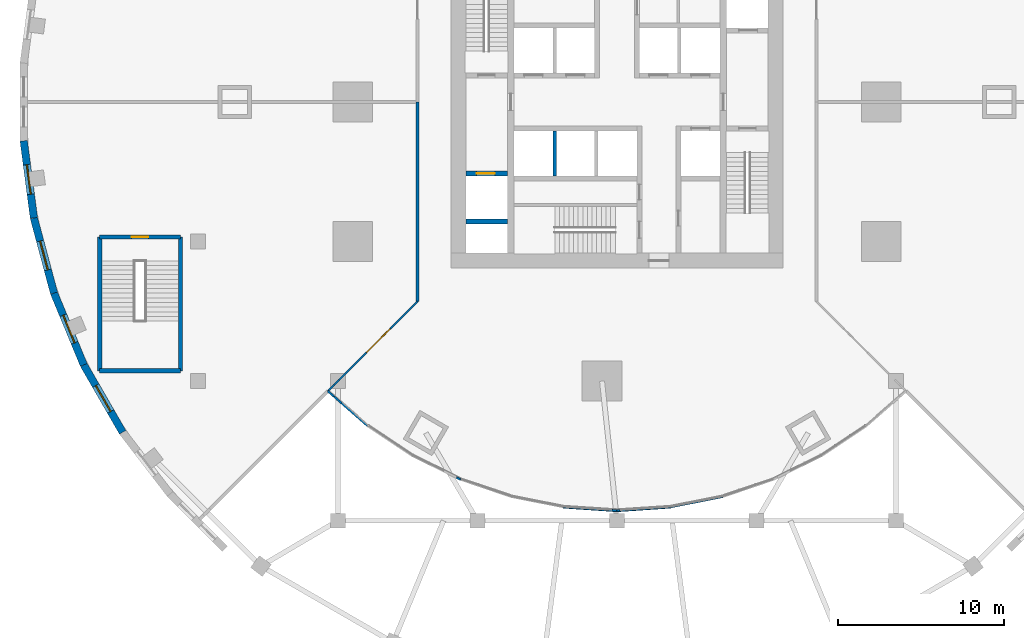
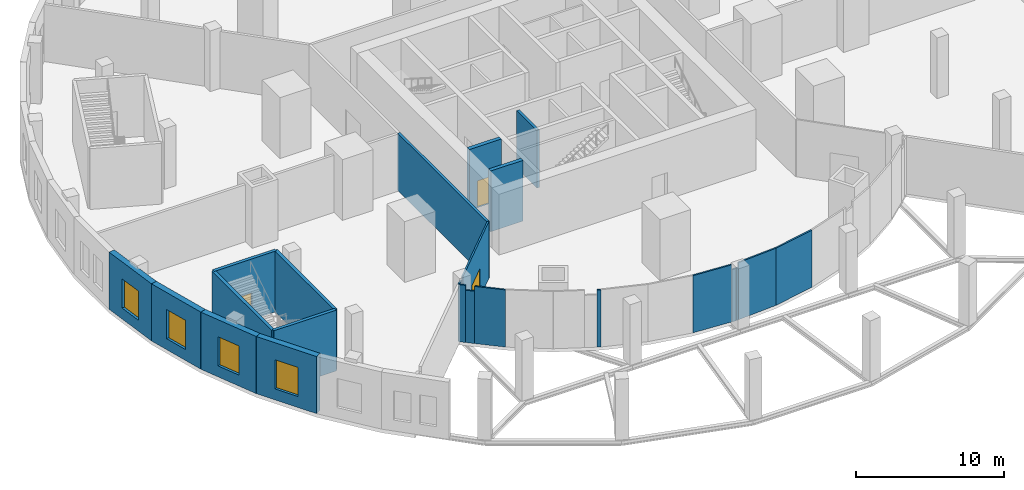
# One storey, part 3 of 11: 24 walls, 4 windows, 3 doors, 7 openings.
"""IFC4 building model written with IfcOpenShell, lengths in metres."""

from ifc_helpers import new_model, si_unit, direction, frame, frame_2d, origin, place, context, subcontext, project, spatial, rectangle, extrude, material, layer, layer_set, type_object, element, fill, save


model = new_model("IFC4")

# Units and contexts
model_context = context("Model", 3, precision=1e-05, world=origin(), true_north=direction((0.0, 1.0)))
body_context = subcontext(model_context, "Body", "Model", "MODEL_VIEW")
ifc_project = project(units=[si_unit("LENGTHUNIT", "METRE"), si_unit("AREAUNIT", "SQUARE_METRE"), si_unit("VOLUMEUNIT", "CUBIC_METRE"), si_unit("PLANEANGLEUNIT", "RADIAN"), si_unit("MASSUNIT", "GRAM", prefix="KILO")], contexts=[model_context])

# Site, building, storey
site_placement = place(None, origin())
site = spatial("IfcSite", under=ifc_project, at=site_placement, CompositionType="ELEMENT")
building_placement = place(site_placement, origin())
building = spatial("IfcBuilding", under=site, at=building_placement, Name="Golbaran Civic Tower", CompositionType="ELEMENT")
storey_placement = place(building_placement, frame((0.0, 0.0, 11.0)))
storey = spatial("IfcBuildingStorey", under=building, at=storey_placement, Name="L02", CompositionType="ELEMENT", Elevation=11.0)

# Walls
ifc_material_1 = material(Name="Glazed screen on steel framing", Category="steel")
ifc_layer_1 = layer(ifc_material_1, 0.1201171875, Name="Glazed screen on steel framing")
ifc_layer_set_1 = layer_set([ifc_layer_1], Name="Glazed screen on steel framing")
wall_type_1 = type_object("IfcWallType", Name="GLAZED SCREEN PARTITION 120", PredefinedType="PARTITIONING", material=ifc_layer_set_1)
wall_1_placement = place(storey_placement, frame((-16.570068359375, -18.127197265625, 0.0), z_axis=(0.0, 0.0, 1.0), x_axis=(0.752226011438, -0.658905173538, 0.0)))
element("IfcWall", 1, at=wall_1_placement, inside=storey, type_object=wall_type_1, Name="Podium partition L02", PredefinedType="PARTITIONING", context=body_context, shape_type="SweptSolid", body=[
    extrude(rectangle(XDim=2.11376953125, YDim=0.1201171875, at=frame_2d((1.056884765625, 0.0))), origin(), (0.0, 0.0, 1.0), 4.699951171875),
])
wall_2_placement = place(storey_placement, frame((-17.030029296875, -17.72412109375, 0.0), z_axis=(0.0, 0.0, 1.0), x_axis=(0.752081905539, -0.65906965289, 0.0)))
element("IfcWall", 2, at=wall_2_placement, inside=storey, type_object=wall_type_1, Name="Podium partition L02 under the beam over", PredefinedType="PARTITIONING", context=body_context, shape_type="SweptSolid", body=[
    extrude(rectangle(XDim=0.611572265625, YDim=0.1201171875, at=frame_2d((0.3056640625, 0.0))), origin(), (0.0, 0.0, 1.0), 4.300048828125),
])
wall_3_placement = place(storey_placement, frame((-17.39990234375, -17.39990234375, 0.0), z_axis=(0.0, 0.0, 1.0), x_axis=(0.751992181934, -0.659172024824, 0.0)))
element("IfcWall", 3, at=wall_3_placement, inside=storey, type_object=wall_type_1, Name="Podium partition L02 under the beam over", PredefinedType="PARTITIONING", context=body_context, shape_type="SweptSolid", body=[
    extrude(rectangle(XDim=0.491943359375, YDim=0.1201171875, at=frame_2d((0.24609375, 0.0))), origin(), (0.0, 0.0, 1.0), 4.699951171875),
])

# Wall, opening, door
wall_4_placement = place(storey_placement, frame((-16.719970703125, -16.719970703125, 0.0), z_axis=(0.0, 0.0, 1.0), x_axis=(0.707106781187, 0.707106781187, 0.0)))
wall_4 = element("IfcWall", 4, at=wall_4_placement, inside=storey, type_object=wall_type_1, Name="Podium partition L02", PredefinedType="PARTITIONING", context=body_context, shape_type="SweptSolid", body=[
    extrude(rectangle(XDim=6.675048828125, YDim=0.1201171875, at=frame_2d((3.33740234375, 0.0))), origin(), (0.0, 0.0, 1.0), 4.699951171875),
])
opening_1_placement = place(wall_4_placement, frame((2.337646484375, 0.0, 0.0)))
opening_1 = element("IfcOpeningElement", 5, at=opening_1_placement, cuts=wall_4, Name="Opening L02.04", PredefinedType="OPENING", context=body_context, shape_type="SweptSolid", body=[
    extrude(rectangle(XDim=2.0, YDim=2.39990234375, at=frame_2d((1.0, 1.199951171875))), frame((0.0, 0.070068359375, 0.0), z_axis=(0.0, -1.0, 0.0), x_axis=(1.0, 0.0, 0.0)), (0.0, 0.0, 1.0), 0.14013671875),
])
ifc_material_2 = material(Name="Timber door set in steel frame", Category="steel")
door_type_1 = type_object("IfcDoorType", Name="PUBLIC DOUBLE DOOR 2000x2400", OperationType="DOUBLE_DOOR_SINGLE_SWING", PredefinedType="DOOR", material=ifc_material_2)
door_1_placement = place(opening_1_placement, origin())
door_1 = element("IfcDoor", 6, at=door_1_placement, inside=storey, type_object=door_type_1, Name="Staff Restaurant door", OperationType="DOUBLE_DOOR_SINGLE_SWING", OverallHeight=2.39990234375, OverallWidth=2.0, PredefinedType="DOOR", context=body_context, shape_type="SweptSolid", body=[
    extrude(rectangle(XDim=2.0, YDim=2.39990234375, at=frame_2d((1.0, 1.199951171875))), frame((0.0, 0.02490234375, 0.0), z_axis=(0.0, -1.0, 0.0), x_axis=(1.0, 0.0, 0.0)), (0.0, 0.0, 1.0), 0.050048828125),
])
fill(opening_1, door_1)

# Walls
wall_5_placement = place(storey_placement, frame((-17.39990234375, -17.39990234375, 0.0), z_axis=(0.0, 0.0, 1.0), x_axis=(0.707106781187, 0.707106781187, 0.0)))
element("IfcWall", 7, at=wall_5_placement, inside=storey, type_object=wall_type_1, Name="Podium partition L02 under the beam over", PredefinedType="PARTITIONING", context=body_context, shape_type="SweptSolid", body=[
    extrude(rectangle(XDim=0.523193359375, YDim=0.1201171875, at=frame_2d((0.26171875, 0.0))), origin(), (0.0, 0.0, 1.0), 4.699951171875),
])
wall_6_placement = place(storey_placement, frame((-17.030029296875, -17.030029296875, 0.0), z_axis=(0.0, 0.0, 1.0), x_axis=(0.707106781187, 0.707106781187, 0.0)))
element("IfcWall", 8, at=wall_6_placement, inside=storey, type_object=wall_type_1, Name="Podium partition L02 under the beam over", PredefinedType="PARTITIONING", context=body_context, shape_type="SweptSolid", body=[
    extrude(rectangle(XDim=0.4384765625, YDim=0.1201171875, at=frame_2d((0.21923828125, 0.0))), origin(), (0.0, 0.0, 1.0), 4.300048828125),
])
wall_7_placement = place(storey_placement, frame((-9.65771484375, -22.602783203125, 0.0), z_axis=(0.0, 0.0, 1.0), x_axis=(0.896990941369, -0.442048923878, 0.0)))
element("IfcWall", 9, at=wall_7_placement, inside=storey, type_object=wall_type_1, Name="Podium partition L02 under the beam over", PredefinedType="PARTITIONING", context=body_context, shape_type="SweptSolid", body=[
    extrude(rectangle(XDim=0.26513671875, YDim=0.1201171875, at=frame_2d((0.132568359375, 0.0))), origin(), (0.0, 0.0, 1.0), 4.699951171875),
])
wall_8_placement = place(storey_placement, frame((-3.219970703125, -24.3798828125, 0.0), z_axis=(0.0, 0.0, 1.0), x_axis=(0.997672751552, -0.068184168332, 0.0)))
element("IfcWall", 10, at=wall_8_placement, inside=storey, type_object=wall_type_1, Name="Podium partition L02", PredefinedType="PARTITIONING", context=body_context, shape_type="SweptSolid", body=[
    extrude(rectangle(XDim=2.928955078125, YDim=0.1201171875, at=frame_2d((1.46435546875, 0.0))), origin(), (0.0, 0.0, 1.0), 4.699951171875),
])
wall_9_placement = place(storey_placement, frame((-0.2978515625, -24.57958984375, 0.0), z_axis=(0.0, 0.0, 1.0), x_axis=(0.997638063988, -0.068689833914, 0.0)))
element("IfcWall", 11, at=wall_9_placement, inside=storey, type_object=wall_type_1, Name="Podium partition L02 under the beam over", PredefinedType="PARTITIONING", context=body_context, shape_type="SweptSolid", body=[
    extrude(rectangle(XDim=0.298583984375, YDim=0.1201171875, at=frame_2d((0.1494140625, 0.0))), origin(), (0.0, 0.0, 1.0), 4.300048828125),
])
wall_10_placement = place(storey_placement, frame((0.165771484375, -24.588623046875, 0.0), z_axis=(0.0, 0.0, 1.0), x_axis=(0.997672608774, 0.068186257434, 0.0)))
element("IfcWall", 12, at=wall_10_placement, inside=storey, type_object=wall_type_1, Name="Podium partition L02", PredefinedType="PARTITIONING", context=body_context, shape_type="SweptSolid", body=[
    extrude(rectangle(XDim=3.061279296875, YDim=0.1201171875, at=frame_2d((1.53076171875, 0.0))), origin(), (0.0, 0.0, 1.0), 4.699951171875),
])
wall_11_placement = place(storey_placement, frame((0.0, -24.60009765625, 0.0), z_axis=(0.0, 0.0, 1.0), x_axis=(0.997612909128, 0.069054207259, 0.0)))
element("IfcWall", 13, at=wall_11_placement, inside=storey, type_object=wall_type_1, Name="Podium partition L02 under the beam over", PredefinedType="PARTITIONING", context=body_context, shape_type="SweptSolid", body=[
    extrude(rectangle(XDim=0.166259765625, YDim=0.1201171875, at=frame_2d((0.0830078125, 0.0))), origin(), (0.0, 0.0, 1.0), 4.300048828125),
])
wall_12_placement = place(storey_placement, frame((3.219970703125, -24.3798828125, 0.0), z_axis=(0.0, 0.0, 1.0), x_axis=(0.98106754531, 0.193665876033, 0.0)))
element("IfcWall", 14, at=wall_12_placement, inside=storey, type_object=wall_type_1, Name="Podium partition L02", PredefinedType="PARTITIONING", context=body_context, shape_type="SweptSolid", body=[
    extrude(rectangle(XDim=3.20068359375, YDim=0.1201171875, at=frame_2d((1.600341796875, 0.0))), origin(), (0.0, 0.0, 1.0), 4.699951171875),
])
ifc_material_3 = material(Name="Concrete block", Category="concrete")
ifc_layer_2 = layer(ifc_material_3, 0.199951171875, Name="Concrete block")
ifc_layer_set_2 = layer_set([ifc_layer_2], Name="Concrete block")
wall_type_2 = type_object("IfcWallType", Name="LIFT SEPARATOR WALL 200", PredefinedType="SOLIDWALL", material=ifc_layer_set_2)
wall_13_placement = place(storey_placement, frame((-3.75, -1.75, 0.0), z_axis=(0.0, 0.0, 1.0), x_axis=(0.0, -1.0, 0.0)))
element("IfcWall", 15, at=wall_13_placement, inside=storey, type_object=wall_type_2, Name="Core partition SSW L02", PredefinedType="SOLIDWALL", context=body_context, shape_type="SweptSolid", body=[
    extrude(rectangle(XDim=2.699951171875, YDim=0.199951171875, at=frame_2d((1.35009765625, 0.0))), origin(), (0.0, 0.0, 1.0), 4.75),
])
ifc_material_4 = material(Name="Concrete block, plastered", Category="concrete")
ifc_layer_3 = layer(ifc_material_4, 0.199951171875, Name="Concrete block, plastered")
ifc_layer_set_3 = layer_set([ifc_layer_3], Name="Concrete block, plastered")
wall_type_3 = type_object("IfcWallType", Name="PODIUM PARTITION 200", PredefinedType="PARTITIONING", material=ifc_layer_set_3)
wall_14_placement = place(storey_placement, frame((-12.0, 0.0, 0.0), z_axis=(0.0, 0.0, 1.0), x_axis=(0.0, -1.0, 0.0)))
element("IfcWall", 16, at=wall_14_placement, inside=storey, type_object=wall_type_3, Name="Podium corridor wall L02", PredefinedType="PARTITIONING", context=body_context, shape_type="SweptSolid", body=[
    extrude(rectangle(XDim=12.0, YDim=0.199951171875, at=frame_2d((6.0, 0.0))), origin(), (0.0, 0.0, 1.0), 4.699951171875),
])

# Wall, opening, door
ifc_material_5 = material(Name="Concrete C50/60", Category="concrete")
ifc_layer_4 = layer(ifc_material_5, 0.300048828125, Name="Concrete C50/60")
ifc_layer_set_4 = layer_set([ifc_layer_4], Name="Concrete C50/60")
wall_type_4 = type_object("IfcWallType", Name="SHAFT WALL CONCRETE 300", PredefinedType="SOLIDWALL", material=ifc_layer_set_4)
wall_15_placement = place(storey_placement, frame((-9.10009765625, -4.300048828125, 0.0), z_axis=(0.0, 0.0, 1.0), x_axis=(1.0, 0.0, 0.0)))
wall_15 = element("IfcWall", 17, at=wall_15_placement, inside=storey, type_object=wall_type_4, Name="Core wall XW2 L02", PredefinedType="SOLIDWALL", context=body_context, shape_type="SweptSolid", body=[
    extrude(rectangle(XDim=2.5, YDim=0.300048828125, at=frame_2d((1.25, 0.0))), origin(), (0.0, 0.0, 1.0), 5.0),
])
opening_2_placement = place(wall_15_placement, frame((0.64990234375, 0.0, 0.0)))
opening_2 = element("IfcOpeningElement", 18, at=opening_2_placement, cuts=wall_15, Name="Opening L02.LD-F1", PredefinedType="OPENING", context=body_context, shape_type="SweptSolid", body=[
    extrude(rectangle(XDim=1.10009765625, YDim=2.199951171875, at=frame_2d((0.550048828125, 1.10009765625))), frame((0.0, 0.159912109375, 0.0), z_axis=(0.0, -1.0, 0.0), x_axis=(1.0, 0.0, 0.0)), (0.0, 0.0, 1.0), 0.320068359375),
])
ifc_material_6 = material(Name="Stainless steel", Category="steel")
door_type_2 = type_object("IfcDoorType", Name="LIFT LANDING DOOR 1100x2200", OperationType="SLIDING_TO_LEFT", PredefinedType="DOOR", material=ifc_material_6)
door_2_placement = place(opening_2_placement, origin())
door_2 = element("IfcDoor", 19, at=door_2_placement, inside=storey, type_object=door_type_2, Name="Lift landing door F1", OperationType="SLIDING_TO_LEFT", OverallHeight=2.199951171875, OverallWidth=1.10009765625, PredefinedType="DOOR", context=body_context, shape_type="SweptSolid", body=[
    extrude(rectangle(XDim=1.10009765625, YDim=2.199951171875, at=frame_2d((0.550048828125, 1.10009765625))), frame((0.0, 0.02490234375, 0.0), z_axis=(0.0, -1.0, 0.0), x_axis=(1.0, 0.0, 0.0)), (0.0, 0.0, 1.0), 0.050048828125),
])
fill(opening_2, door_2)

# Wall
wall_16_placement = place(storey_placement, frame((-9.10009765625, -7.199951171875, 0.0), z_axis=(0.0, 0.0, 1.0), x_axis=(1.0, 0.0, 0.0)))
element("IfcWall", 20, at=wall_16_placement, inside=storey, type_object=wall_type_4, Name="Core wall XW3 L02", PredefinedType="SOLIDWALL", context=body_context, shape_type="SweptSolid", body=[
    extrude(rectangle(XDim=2.5, YDim=0.300048828125, at=frame_2d((1.25, 0.0))), origin(), (0.0, 0.0, 1.0), 5.0),
])

# Wall, opening, door
ifc_layer_5 = layer(ifc_material_5, 0.25, Name="Concrete C50/60")
ifc_layer_set_5 = layer_set([ifc_layer_5], Name="Concrete C50/60")
wall_type_5 = type_object("IfcWallType", Name="STAIR ENCLOSURE WALL CONCRETE 250", PredefinedType="SOLIDWALL", material=ifc_layer_set_5)
wall_17_placement = place(storey_placement, frame((-31.125, -8.125, 0.0), z_axis=(0.0, 0.0, 1.0), x_axis=(1.0, 0.0, 0.0)))
wall_17 = element("IfcWall", 21, at=wall_17_placement, inside=storey, type_object=wall_type_5, Name="Stair P3 enclosure A L02", PredefinedType="SOLIDWALL", context=body_context, shape_type="SweptSolid", body=[
    extrude(rectangle(XDim=4.85009765625, YDim=0.25, at=frame_2d((2.425048828125, 0.0))), origin(), (0.0, 0.0, 1.0), 5.0),
])
opening_3_placement = place(wall_17_placement, frame((1.925048828125, 0.0, 0.0)))
opening_3 = element("IfcOpeningElement", 22, at=opening_3_placement, cuts=wall_17, Name="Opening L02.P3", PredefinedType="OPENING", context=body_context, shape_type="SweptSolid", body=[
    extrude(rectangle(XDim=1.0, YDim=2.199951171875, at=frame_2d((0.5, 1.10009765625))), frame((0.0, 0.135009765625, 0.0), z_axis=(0.0, -1.0, 0.0), x_axis=(1.0, 0.0, 0.0)), (0.0, 0.0, 1.0), 0.27001953125),
])
door_type_3 = type_object("IfcDoorType", Name="STAIR DOOR 1000x2200", OperationType="SINGLE_SWING_LEFT", PredefinedType="DOOR", material=ifc_material_2)
door_3_placement = place(opening_3_placement, origin())
door_3 = element("IfcDoor", 23, at=door_3_placement, inside=storey, type_object=door_type_3, Name="Stair P3 door", OperationType="SINGLE_SWING_LEFT", OverallHeight=2.199951171875, OverallWidth=1.0, PredefinedType="DOOR", context=body_context, shape_type="SweptSolid", body=[
    extrude(rectangle(XDim=1.0, YDim=2.199951171875, at=frame_2d((0.5, 1.10009765625))), frame((0.0, 0.02490234375, 0.0), z_axis=(0.0, -1.0, 0.0), x_axis=(1.0, 0.0, 0.0)), (0.0, 0.0, 1.0), 0.050048828125),
])
fill(opening_3, door_3)

# Walls
wall_18_placement = place(storey_placement, frame((-26.27490234375, -8.125, 0.0), z_axis=(0.0, 0.0, 1.0), x_axis=(0.0, -1.0, 0.0)))
element("IfcWall", 24, at=wall_18_placement, inside=storey, type_object=wall_type_5, Name="Stair P3 enclosure B L02", PredefinedType="SOLIDWALL", context=body_context, shape_type="SweptSolid", body=[
    extrude(rectangle(XDim=8.050048828125, YDim=0.25, at=frame_2d((4.02490234375, 0.0))), origin(), (0.0, 0.0, 1.0), 5.0),
])
wall_19_placement = place(storey_placement, frame((-26.27490234375, -16.175048828125, 0.0), z_axis=(0.0, 0.0, 1.0), x_axis=(-1.0, 0.0, 0.0)))
element("IfcWall", 25, at=wall_19_placement, inside=storey, type_object=wall_type_5, Name="Stair P3 enclosure C L02", PredefinedType="SOLIDWALL", context=body_context, shape_type="SweptSolid", body=[
    extrude(rectangle(XDim=4.85009765625, YDim=0.25, at=frame_2d((2.425048828125, 0.0))), origin(), (0.0, 0.0, 1.0), 5.0),
])
wall_20_placement = place(storey_placement, frame((-31.125, -16.175048828125, 0.0), z_axis=(0.0, 0.0, 1.0), x_axis=(0.0, 1.0, 0.0)))
element("IfcWall", 26, at=wall_20_placement, inside=storey, type_object=wall_type_5, Name="Stair P3 enclosure D L02", PredefinedType="SOLIDWALL", context=body_context, shape_type="SweptSolid", body=[
    extrude(rectangle(XDim=8.050048828125, YDim=0.25, at=frame_2d((4.02490234375, 0.0))), origin(), (0.0, 0.0, 1.0), 5.0),
])

# Wall, opening, window
ifc_material_7 = material(Name="Terracotta brick", Category="masonry")
ifc_layer_6 = layer(ifc_material_7, 0.449951171875, Name="Terracotta brick")
ifc_layer_set_6 = layer_set([ifc_layer_6], Name="Terracotta brick")
wall_type_6 = type_object("IfcWallType", Name="TERRACOTTA BRICK FACADE WALL 450", PredefinedType="SOLIDWALL", material=ifc_layer_set_6)
wall_21_placement = place(storey_placement, frame((-35.698486328125, -2.33984375, 0.0), z_axis=(0.0, 0.0, 1.0), x_axis=(0.130536838198, -0.991443459746, 0.0)))
wall_21 = element("IfcWall", 27, at=wall_21_placement, inside=storey, type_object=wall_type_6, Name="Podium wall L02 facet 25", PredefinedType="SOLIDWALL", context=body_context, shape_type="SweptSolid", body=[
    extrude(rectangle(XDim=4.679443359375, YDim=0.449951171875, at=frame_2d((2.33984375, 0.0))), origin(), (0.0, 0.0, 1.0), 4.699951171875),
])
opening_4_placement = place(wall_21_placement, frame((1.439697265625, 0.0, 0.89990234375)))
opening_4 = element("IfcOpeningElement", 28, at=opening_4_placement, cuts=wall_21, Name="Opening L02.W28", PredefinedType="OPENING", context=body_context, shape_type="SweptSolid", body=[
    extrude(rectangle(XDim=1.800048828125, YDim=2.39990234375, at=frame_2d((0.89990234375, 1.199951171875))), frame((0.0, 0.23486328125, 0.0), z_axis=(0.0, -1.0, 0.0), x_axis=(1.0, 0.0, 0.0)), (0.0, 0.0, 1.0), 0.469970703125),
])
ifc_material_8 = material(Name="Aluminium frame, clear glass", Category="aluminium")
window_type = type_object("IfcWindowType", Name="PODIUM WINDOW 1800x2400", PartitioningType="SINGLE_PANEL", PredefinedType="WINDOW", material=ifc_material_8)
window_1_placement = place(opening_4_placement, origin())
window_1 = element("IfcWindow", 29, at=window_1_placement, inside=storey, type_object=window_type, Name="Podium window L02 facet 25", OverallHeight=2.39990234375, OverallWidth=1.800048828125, PartitioningType="SINGLE_PANEL", PredefinedType="WINDOW", context=body_context, shape_type="SweptSolid", body=[
    extrude(rectangle(XDim=1.800048828125, YDim=2.39990234375, at=frame_2d((0.89990234375, 1.199951171875))), frame((0.0, 0.030029296875, 0.0), z_axis=(0.0, -1.0, 0.0), x_axis=(1.0, 0.0, 0.0)), (0.0, 0.0, 1.0), 0.06005859375),
])
fill(opening_4, window_1)

wall_22_placement = place(storey_placement, frame((-35.087646484375, -6.979248046875, 0.0), z_axis=(0.0, 0.0, 1.0), x_axis=(0.258815185258, -0.965926860523, 0.0)))
wall_22 = element("IfcWall", 30, at=wall_22_placement, inside=storey, type_object=wall_type_6, Name="Podium wall L02 facet 26", PredefinedType="SOLIDWALL", context=body_context, shape_type="SweptSolid", body=[
    extrude(rectangle(XDim=4.6796875, YDim=0.449951171875, at=frame_2d((2.33984375, 0.0))), origin(), (0.0, 0.0, 1.0), 4.699951171875),
])
opening_5_placement = place(wall_22_placement, frame((1.439697265625, 0.0, 0.89990234375)))
opening_5 = element("IfcOpeningElement", 31, at=opening_5_placement, cuts=wall_22, Name="Opening L02.W29", PredefinedType="OPENING", context=body_context, shape_type="SweptSolid", body=[
    extrude(rectangle(XDim=1.800048828125, YDim=2.39990234375, at=frame_2d((0.89990234375, 1.199951171875))), frame((0.0, 0.23486328125, 0.0), z_axis=(0.0, -1.0, 0.0), x_axis=(1.0, 0.0, 0.0)), (0.0, 0.0, 1.0), 0.469970703125),
])
window_2_placement = place(opening_5_placement, origin())
window_2 = element("IfcWindow", 32, at=window_2_placement, inside=storey, type_object=window_type, Name="Podium window L02 facet 26", OverallHeight=2.39990234375, OverallWidth=1.800048828125, PartitioningType="SINGLE_PANEL", PredefinedType="WINDOW", context=body_context, shape_type="SweptSolid", body=[
    extrude(rectangle(XDim=1.800048828125, YDim=2.39990234375, at=frame_2d((0.89990234375, 1.199951171875))), frame((0.0, 0.030029296875, 0.0), z_axis=(0.0, -1.0, 0.0), x_axis=(1.0, 0.0, 0.0)), (0.0, 0.0, 1.0), 0.06005859375),
])
fill(opening_5, window_2)

wall_23_placement = place(storey_placement, frame((-33.87646484375, -11.49951171875, 0.0), z_axis=(0.0, 0.0, 1.0), x_axis=(0.382669718086, -0.923885213032, 0.0)))
wall_23 = element("IfcWall", 33, at=wall_23_placement, inside=storey, type_object=wall_type_6, Name="Podium wall L02 facet 27", PredefinedType="SOLIDWALL", context=body_context, shape_type="SweptSolid", body=[
    extrude(rectangle(XDim=4.6796875, YDim=0.449951171875, at=frame_2d((2.33984375, 0.0))), origin(), (0.0, 0.0, 1.0), 4.699951171875),
])
opening_6_placement = place(wall_23_placement, frame((1.439697265625, 0.0, 0.89990234375)))
opening_6 = element("IfcOpeningElement", 34, at=opening_6_placement, cuts=wall_23, Name="Opening L02.W30", PredefinedType="OPENING", context=body_context, shape_type="SweptSolid", body=[
    extrude(rectangle(XDim=1.800048828125, YDim=2.39990234375, at=frame_2d((0.89990234375, 1.199951171875))), frame((0.0, 0.23486328125, 0.0), z_axis=(0.0, -1.0, 0.0), x_axis=(1.0, 0.0, 0.0)), (0.0, 0.0, 1.0), 0.469970703125),
])
window_3_placement = place(opening_6_placement, origin())
window_3 = element("IfcWindow", 35, at=window_3_placement, inside=storey, type_object=window_type, Name="Podium window L02 facet 27", OverallHeight=2.39990234375, OverallWidth=1.800048828125, PartitioningType="SINGLE_PANEL", PredefinedType="WINDOW", context=body_context, shape_type="SweptSolid", body=[
    extrude(rectangle(XDim=1.800048828125, YDim=2.39990234375, at=frame_2d((0.89990234375, 1.199951171875))), frame((0.0, 0.030029296875, 0.0), z_axis=(0.0, -1.0, 0.0), x_axis=(1.0, 0.0, 0.0)), (0.0, 0.0, 1.0), 0.06005859375),
])
fill(opening_6, window_3)

wall_24_placement = place(storey_placement, frame((-32.085693359375, -15.822998046875, 0.0), z_axis=(0.0, 0.0, 1.0), x_axis=(0.500022025083, -0.866012687223, 0.0)))
wall_24 = element("IfcWall", 36, at=wall_24_placement, inside=storey, type_object=wall_type_6, Name="Podium wall L02 facet 28", PredefinedType="SOLIDWALL", context=body_context, shape_type="SweptSolid", body=[
    extrude(rectangle(XDim=4.679443359375, YDim=0.449951171875, at=frame_2d((2.33984375, 0.0))), origin(), (0.0, 0.0, 1.0), 4.699951171875),
])
opening_7_placement = place(wall_24_placement, frame((1.439697265625, 0.0, 0.89990234375)))
opening_7 = element("IfcOpeningElement", 37, at=opening_7_placement, cuts=wall_24, Name="Opening L02.W31", PredefinedType="OPENING", context=body_context, shape_type="SweptSolid", body=[
    extrude(rectangle(XDim=1.800048828125, YDim=2.39990234375, at=frame_2d((0.89990234375, 1.199951171875))), frame((0.0, 0.23486328125, 0.0), z_axis=(0.0, -1.0, 0.0), x_axis=(1.0, 0.0, 0.0)), (0.0, 0.0, 1.0), 0.469970703125),
])
window_4_placement = place(opening_7_placement, origin())
window_4 = element("IfcWindow", 38, at=window_4_placement, inside=storey, type_object=window_type, Name="Podium window L02 facet 28", OverallHeight=2.39990234375, OverallWidth=1.800048828125, PartitioningType="SINGLE_PANEL", PredefinedType="WINDOW", context=body_context, shape_type="SweptSolid", body=[
    extrude(rectangle(XDim=1.800048828125, YDim=2.39990234375, at=frame_2d((0.89990234375, 1.199951171875))), frame((0.0, 0.030029296875, 0.0), z_axis=(0.0, -1.0, 0.0), x_axis=(1.0, 0.0, 0.0)), (0.0, 0.0, 1.0), 0.06005859375),
])
fill(opening_7, window_4)

save(model, "model.ifc")
